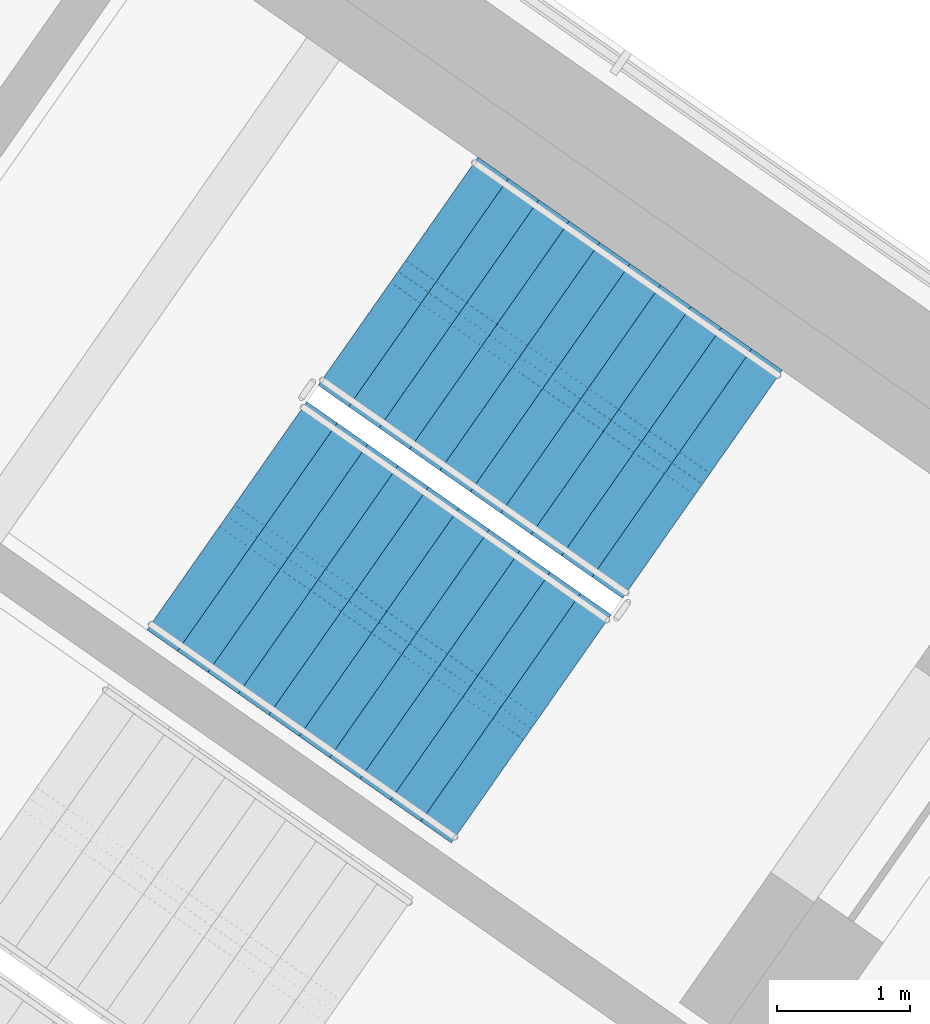
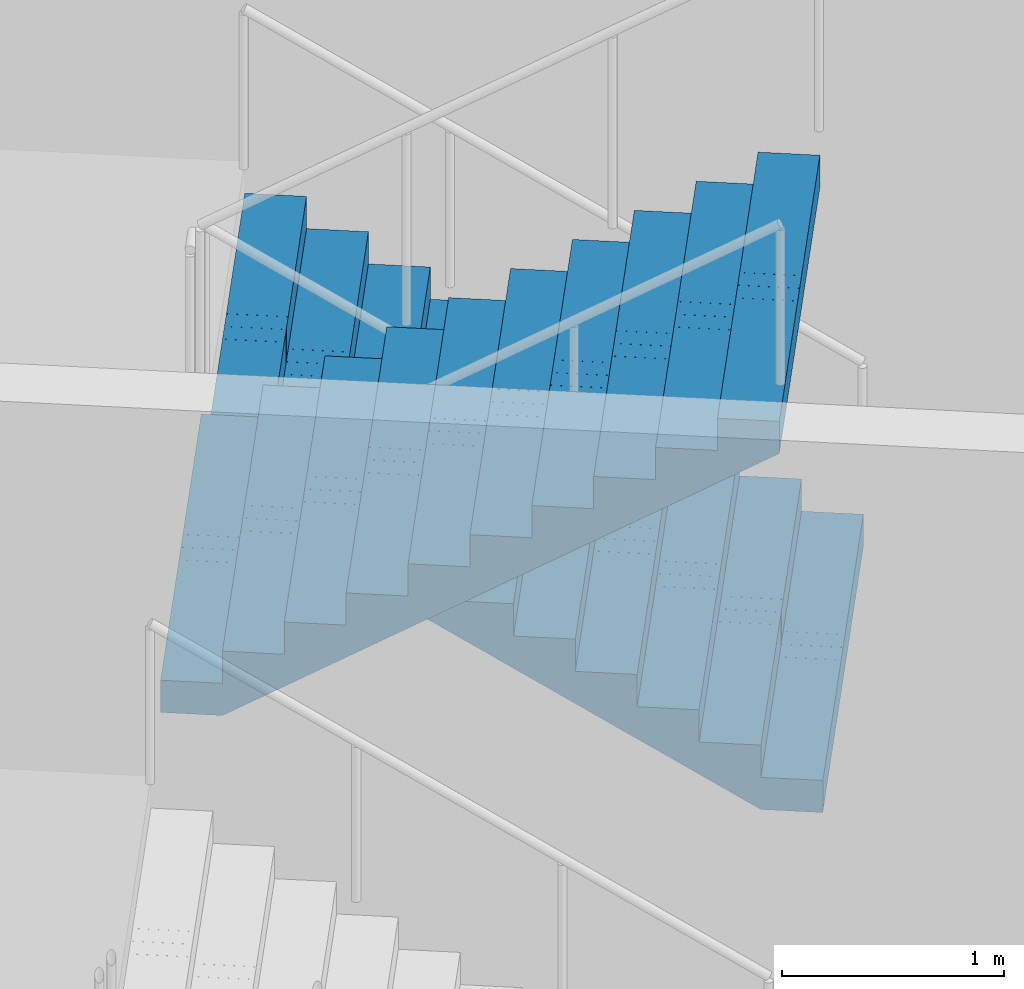
# One storey, part 13 of 18: 2 stair flights, 1 element without a shape of its own.
"""IFC4 building model written with IfcOpenShell, lengths in metres."""

import ifcopenshell
import ifcopenshell.guid

model = None  # the IFC model being written
_history = None  # IfcOwnerHistory: only IFC2X3 demands one
_inside = {}  # id of a spatial element -> (the spatial element, [elements in it])
_under = {}  # id of a project, library or spatial element -> (it, [spatial elements below it])
_declared = {}  # id of a project -> (the project, [libraries it declares])
_typed = {}  # id of a type object -> (the type object, [elements of that type])
_made_of = {}  # id of a material, layer set ... -> (it, [elements and type objects made of it])


def new_model(schema):
    """Start an empty IFC model of exactly this schema.

    Asked for "IFC4X3", IfcOpenShell would pick the latest addendum, in which some entities
    have other attributes; the version numbers below select the first issue.
    IFC2X3 requires an IfcOwnerHistory on every rooted entity: one is made here for all.
    """
    global model, _history
    if schema == "IFC4X3":
        model = ifcopenshell.file(schema_version=(4, 3, 0, 0))
    else:
        model = ifcopenshell.file(schema=schema)
    _inside.clear()
    _under.clear()
    _declared.clear()
    _typed.clear()
    _made_of.clear()
    _history = None
    if model.schema == "IFC2X3":
        org = make("IfcOrganization", Name="unknown")
        user = make(
            "IfcPersonAndOrganization",
            ThePerson=make("IfcPerson", FamilyName="unknown"),
            TheOrganization=org,
        )
        app = make(
            "IfcApplication",
            ApplicationDeveloper=org,
            Version="unknown",
            ApplicationFullName="unknown",
            ApplicationIdentifier="unknown",
        )
        _history = make(
            "IfcOwnerHistory",
            OwningUser=user,
            OwningApplication=app,
            ChangeAction="ADDED",
            CreationDate=0,
        )
    return model


def make(cls, **values):
    """One entity of the class cls with the attributes given. An attribute that is None is left unset."""
    return model.create_entity(
        cls, **{name: value for name, value in values.items() if value is not None}
    )


def rooted(cls, **values):
    """An entity with a GlobalId (a new one), such as an element, a storey or a relation."""
    return make(cls, GlobalId=ifcopenshell.guid.new(), OwnerHistory=_history, **values)


def si_unit(unit_type, name, prefix=None):
    """IfcSIUnit, for example si_unit("LENGTHUNIT", "METRE", prefix="MILLI")."""
    return make("IfcSIUnit", UnitType=unit_type, Prefix=prefix, Name=name)


def assignment(units):
    """IfcUnitAssignment: the units of a project."""
    return None if units is None else make("IfcUnitAssignment", Units=units)


def point(xyz):
    """IfcCartesianPoint."""
    return None if xyz is None else make("IfcCartesianPoint", Coordinates=xyz)


def direction(xyz):
    """IfcDirection."""
    return None if xyz is None else make("IfcDirection", DirectionRatios=xyz)


def frame(location, z_axis=None, x_axis=None):
    """IfcAxis2Placement3D, a coordinate frame: its origin and axes. An axis left out is left unset."""
    return make(
        "IfcAxis2Placement3D",
        Location=point(location),
        Axis=direction(z_axis),
        RefDirection=direction(x_axis),
    )


def origin():
    """The frame at (0, 0, 0) with its axes left unset."""
    return frame((0.0, 0.0, 0.0))


def place(relative_to, where):
    """IfcLocalPlacement: puts the frame where relative to a parent placement (None: the world)."""
    return make(
        "IfcLocalPlacement", PlacementRelTo=relative_to, RelativePlacement=where
    )


def context(
    kind, dimensions, precision=None, world=None, true_north=None, identifier=None
):
    """IfcGeometricRepresentationContext, for example the 3D "Model" context."""
    return make(
        "IfcGeometricRepresentationContext",
        ContextIdentifier=identifier,
        ContextType=kind,
        CoordinateSpaceDimension=dimensions,
        Precision=precision,
        WorldCoordinateSystem=world,
        TrueNorth=true_north,
    )


def subcontext(parent, identifier, kind, view, scale=None):
    """IfcGeometricRepresentationSubContext, for example "Body" below "Model"."""
    return make(
        "IfcGeometricRepresentationSubContext",
        ContextIdentifier=identifier,
        ContextType=kind,
        ParentContext=parent,
        TargetScale=scale,
        TargetView=view,
    )


def project(units=None, contexts=None):
    """IfcProject with its units and contexts."""
    return rooted(
        "IfcProject",
        Name="project",
        RepresentationContexts=contexts,
        UnitsInContext=assignment(units),
    )


def spatial(cls, under=None, at=None, **own):
    """A site, building, storey or space (cls), placed at a placement, below another one or the project."""
    s = rooted(cls, ObjectPlacement=at, **own)
    if under is not None:
        _under.setdefault(under.id(), (under, []))[1].append(s)
    return s


def polyline(points):
    """IfcPolyline through the points."""
    return make("IfcPolyline", Points=[point(p) for p in points])


def outline(outer, holes=None, kind="AREA"):
    """IfcArbitraryClosedProfileDef: a profile drawn as a closed curve; with holes, ...WithVoids."""
    if holes is None:
        return make("IfcArbitraryClosedProfileDef", ProfileType=kind, OuterCurve=outer)
    return make(
        "IfcArbitraryProfileDefWithVoids",
        ProfileType=kind,
        OuterCurve=outer,
        InnerCurves=holes,
    )


def extrude(swept, where, along, depth):
    """IfcExtrudedAreaSolid: the profile swept, set in the frame where, extruded along a direction by depth."""
    return make(
        "IfcExtrudedAreaSolid",
        SweptArea=swept,
        Position=where,
        ExtrudedDirection=direction(along),
        Depth=depth,
    )


def shape(context_of_items, identifier, shape_type, items):
    """IfcShapeRepresentation: the items that make up one representation, for example the "Body"."""
    return make(
        "IfcShapeRepresentation",
        ContextOfItems=context_of_items,
        RepresentationIdentifier=identifier,
        RepresentationType=shape_type,
        Items=items,
    )


def material(Name=None, Category=None):
    """IfcMaterial."""
    return make("IfcMaterial", Name=Name, Category=Category)


def made_of(thing, what):
    """Note that an element or type object is made of a material, layer set ...; save() writes the relation."""
    if what is not None:
        _made_of.setdefault(what.id(), (what, []))[1].append(thing)
    return thing


def type_object(cls, material=None, **own):
    """A type object (cls), such as IfcWallType, which elements share."""
    return made_of(rooted(cls, **own), material)


def element(
    cls,
    number,
    at=None,
    inside=None,
    cuts=None,
    type_object=None,
    material=None,
    context=None,
    identifier="Body",
    shape_type=None,
    held_by="IfcProductDefinitionShape",
    body=None,
    shapes=None,
    **own,
):
    """One element of the class cls, such as IfcWall. Its Tag is "e" and its number.

    at: its placement. inside: the storey or other place that contains it. cuts: it is an
    opening in that element (IfcRelVoidsElement). A single representation is given by context,
    identifier, shape_type and body (its items); several are given by shapes. held_by: the class
    of the entity that holds the representations. save() writes the other relations.
    """
    e = rooted(cls, Tag="e%d" % number, ObjectPlacement=at, **own)
    if body is not None:
        shapes = [shape(context, identifier, shape_type, body)]
    if shapes is not None:
        e.Representation = make(held_by, Representations=shapes)
    if inside is not None:
        _inside.setdefault(inside.id(), (inside, []))[1].append(e)
    if cuts is not None:
        rooted(
            "IfcRelVoidsElement", RelatingBuildingElement=cuts, RelatedOpeningElement=e
        )
    if type_object is not None:
        _typed.setdefault(type_object.id(), (type_object, []))[1].append(e)
    return made_of(e, material)


def aggregate(whole, parts):
    """IfcRelAggregates: a whole, such as a stair, and the parts it consists of."""
    return rooted("IfcRelAggregates", RelatingObject=whole, RelatedObjects=parts)


def save(model, path):
    """Write the relations noted so far, then the file.

    IfcRelAggregates (storeys below a building ...), IfcRelContainedInSpatialStructure (elements
    in a storey), IfcRelDefinesByType, IfcRelAssociatesMaterial and IfcRelDeclares: one each for
    every whole, place, type object, material and project.
    """
    for whole, parts in _under.values():
        aggregate(whole, parts)
    for where, things in _inside.values():
        rooted(
            "IfcRelContainedInSpatialStructure",
            RelatedElements=things,
            RelatingStructure=where,
        )
    for kind, things in _typed.values():
        rooted("IfcRelDefinesByType", RelatedObjects=things, RelatingType=kind)
    for what, things in _made_of.values():
        rooted("IfcRelAssociatesMaterial", RelatedObjects=things, RelatingMaterial=what)
    for by, libraries in _declared.values():
        rooted("IfcRelDeclares", RelatingContext=by, RelatedDefinitions=libraries)
    model.write(path)


model = new_model("IFC4")

# Units and contexts
model_context = context("Model", 3, precision=1e-05, world=origin(), true_north=direction((0.0, 1.0)))
body_context = subcontext(model_context, "Body", "Model", "MODEL_VIEW")
ifc_project = project(units=[si_unit("LENGTHUNIT", "METRE"), si_unit("AREAUNIT", "SQUARE_METRE"), si_unit("VOLUMEUNIT", "CUBIC_METRE"), si_unit("PLANEANGLEUNIT", "RADIAN"), si_unit("MASSUNIT", "GRAM", prefix="KILO")], contexts=[model_context])

# Site, building, storey
site_placement = place(None, origin())
site = spatial("IfcSite", under=ifc_project, at=site_placement, CompositionType="ELEMENT")
building_placement = place(site_placement, origin())
building = spatial("IfcBuilding", under=site, at=building_placement, Name="Tel Ilan Convention Tower", CompositionType="ELEMENT")
storey_placement = place(building_placement, frame((0.0, 0.0, 260.5)))
storey = spatial("IfcBuildingStorey", under=building, at=storey_placement, Name="L61", CompositionType="ELEMENT", Elevation=260.5)

# Stair, stair flights
ifc_material_1 = material(Name="Concrete C40/50", Category="concrete")
stair_type = type_object("IfcStairType", Name="Pressurised Exit Stair 22 risers 177 mm", PredefinedType="HALF_TURN_STAIR", material=ifc_material_1)
stair_placement = place(storey_placement, origin())
stair = element("IfcStair", 1, at=stair_placement, inside=storey, type_object=stair_type, Name="L61 Pressurised Stair S3", PredefinedType="HALF_TURN_STAIR")
ifc_material_2 = material(Name="Precast Concrete C40/50", Category="concrete")
stair_flight_type = type_object("IfcStairFlightType", Name="Concrete Stair Flight 2100 mm 22 risers 177 mm", PredefinedType="STRAIGHT", material=ifc_material_2)
stair_flight_1_placement = place(storey_placement, frame((24.25244140625, -7.032470703125, 0.0), z_axis=(0.0, 0.0, 1.0), x_axis=(-0.819152044289, 0.573576436351, 0.0)))
stair_flight_1 = element("IfcStairFlight", 2, at=stair_flight_1_placement, type_object=stair_flight_type, Name="S3 flight 1", NumberOfRisers=11, NumberOfTreads=10, PredefinedType="STRAIGHT", RiserHeight=0.177272727, TreadLength=0.28, context=body_context, shape_type="SweptSolid", body=[
    extrude(outline(polyline([(0.0, 0.0), (0.0, 0.17724609375), (0.280029296875, 0.17724609375), (0.280029296875, 0.3544921875), (0.56005859375, 0.3544921875), (0.56005859375, 0.53173828125), (0.840087890625, 0.53173828125), (0.840087890625, 0.708984375), (1.1201171875, 0.708984375), (1.1201171875, 0.886474609375), (1.39990234375, 0.886474609375), (1.39990234375, 1.063720703125), (1.679931640625, 1.063720703125), (1.679931640625, 1.240966796875), (1.9599609375, 1.240966796875), (1.9599609375, 1.418212890625), (2.239990234375, 1.418212890625), (2.239990234375, 1.595458984375), (2.52001953125, 1.595458984375), (2.52001953125, 1.772705078125), (2.800048828125, 1.772705078125), (2.800048828125, 1.949951171875), (2.800048828125, 1.59521484375), (0.2802734375, 0.0), (0.0, 0.0)])), frame((0.0, -0.100341796875, 0.0), z_axis=(0.0, -1.0, 0.0), x_axis=(1.0, 0.0, 0.0)), (0.0, 0.0, 1.0), 0.94970703125),
    extrude(outline(polyline([(0.0, 0.0), (0.0, 0.17724609375), (0.280029296875, 0.17724609375), (0.280029296875, 0.3544921875), (0.56005859375, 0.3544921875), (0.56005859375, 0.53173828125), (0.840087890625, 0.53173828125), (0.840087890625, 0.708984375), (1.1201171875, 0.708984375), (1.1201171875, 0.886474609375), (1.39990234375, 0.886474609375), (1.39990234375, 1.063720703125), (1.679931640625, 1.063720703125), (1.679931640625, 1.240966796875), (1.9599609375, 1.240966796875), (1.9599609375, 1.418212890625), (2.239990234375, 1.418212890625), (2.239990234375, 1.595458984375), (2.52001953125, 1.595458984375), (2.52001953125, 1.772705078125), (2.800048828125, 1.772705078125), (2.800048828125, 1.949951171875), (2.800048828125, 1.59521484375), (0.2802734375, 0.0), (0.0, 0.0)])), frame((0.0, -0.000244140625, 0.0), z_axis=(0.0, -1.0, 0.0), x_axis=(1.0, 0.0, 0.0)), (0.0, 0.0, 1.0), 0.099609375),
    extrude(outline(polyline([(0.0, 0.0), (0.0, 0.17724609375), (0.280029296875, 0.17724609375), (0.280029296875, 0.3544921875), (0.56005859375, 0.3544921875), (0.56005859375, 0.53173828125), (0.840087890625, 0.53173828125), (0.840087890625, 0.708984375), (1.1201171875, 0.708984375), (1.1201171875, 0.886474609375), (1.39990234375, 0.886474609375), (1.39990234375, 1.063720703125), (1.679931640625, 1.063720703125), (1.679931640625, 1.240966796875), (1.9599609375, 1.240966796875), (1.9599609375, 1.418212890625), (2.239990234375, 1.418212890625), (2.239990234375, 1.595458984375), (2.52001953125, 1.595458984375), (2.52001953125, 1.772705078125), (2.800048828125, 1.772705078125), (2.800048828125, 1.949951171875), (2.800048828125, 1.59521484375), (0.2802734375, 0.0), (0.0, 0.0)])), frame((0.0, 0.099853515625, 0.0), z_axis=(0.0, -1.0, 0.0), x_axis=(1.0, 0.0, 0.0)), (0.0, 0.0, 1.0), 0.099609375),
    extrude(outline(polyline([(0.0, 0.0), (0.0, 0.17724609375), (0.280029296875, 0.17724609375), (0.280029296875, 0.3544921875), (0.56005859375, 0.3544921875), (0.56005859375, 0.53173828125), (0.840087890625, 0.53173828125), (0.840087890625, 0.708984375), (1.1201171875, 0.708984375), (1.1201171875, 0.886474609375), (1.39990234375, 0.886474609375), (1.39990234375, 1.063720703125), (1.679931640625, 1.063720703125), (1.679931640625, 1.240966796875), (1.9599609375, 1.240966796875), (1.9599609375, 1.418212890625), (2.239990234375, 1.418212890625), (2.239990234375, 1.595458984375), (2.52001953125, 1.595458984375), (2.52001953125, 1.772705078125), (2.800048828125, 1.772705078125), (2.800048828125, 1.949951171875), (2.800048828125, 1.59521484375), (0.2802734375, 0.0), (0.0, 0.0)])), frame((0.0, 1.050048828125, 0.0), z_axis=(0.0, -1.0, 0.0), x_axis=(1.0, 0.0, 0.0)), (0.0, 0.0, 1.0), 0.94970703125),
])
stair_flight_2_placement = place(storey_placement, frame((20.668212890625, -7.26953125, 1.949951171875), z_axis=(0.0, 0.0, 1.0), x_axis=(0.819152044289, -0.573576436351, 0.0)))
stair_flight_2 = element("IfcStairFlight", 3, at=stair_flight_2_placement, type_object=stair_flight_type, Name="S3 flight 2", NumberOfRisers=11, NumberOfTreads=10, PredefinedType="STRAIGHT", RiserHeight=0.177272727, TreadLength=0.28, context=body_context, shape_type="SweptSolid", body=[
    extrude(outline(polyline([(0.0, 0.0), (0.0, 0.17724609375), (0.280029296875, 0.17724609375), (0.280029296875, 0.3544921875), (0.56005859375, 0.3544921875), (0.56005859375, 0.53173828125), (0.840087890625, 0.53173828125), (0.840087890625, 0.708984375), (1.1201171875, 0.708984375), (1.1201171875, 0.886474609375), (1.39990234375, 0.886474609375), (1.39990234375, 1.063720703125), (1.679931640625, 1.063720703125), (1.679931640625, 1.240966796875), (1.9599609375, 1.240966796875), (1.9599609375, 1.418212890625), (2.239990234375, 1.418212890625), (2.239990234375, 1.595458984375), (2.52001953125, 1.595458984375), (2.52001953125, 1.772705078125), (2.800048828125, 1.772705078125), (2.800048828125, 1.949951171875), (2.800048828125, 1.59521484375), (0.2802734375, 0.0), (0.0, 0.0)])), frame((0.0, -0.100341796875, 0.0), z_axis=(0.0, -1.0, 0.0), x_axis=(1.0, 0.0, 0.0)), (0.0, 0.0, 1.0), 0.94970703125),
    extrude(outline(polyline([(0.0, 0.0), (0.0, 0.17724609375), (0.280029296875, 0.17724609375), (0.280029296875, 0.3544921875), (0.56005859375, 0.3544921875), (0.56005859375, 0.53173828125), (0.840087890625, 0.53173828125), (0.840087890625, 0.708984375), (1.1201171875, 0.708984375), (1.1201171875, 0.886474609375), (1.39990234375, 0.886474609375), (1.39990234375, 1.063720703125), (1.679931640625, 1.063720703125), (1.679931640625, 1.240966796875), (1.9599609375, 1.240966796875), (1.9599609375, 1.418212890625), (2.239990234375, 1.418212890625), (2.239990234375, 1.595458984375), (2.52001953125, 1.595458984375), (2.52001953125, 1.772705078125), (2.800048828125, 1.772705078125), (2.800048828125, 1.949951171875), (2.800048828125, 1.59521484375), (0.2802734375, 0.0), (0.0, 0.0)])), frame((0.0, -0.000244140625, 0.0), z_axis=(0.0, -1.0, 0.0), x_axis=(1.0, 0.0, 0.0)), (0.0, 0.0, 1.0), 0.099609375),
    extrude(outline(polyline([(0.0, 0.0), (0.0, 0.17724609375), (0.280029296875, 0.17724609375), (0.280029296875, 0.3544921875), (0.56005859375, 0.3544921875), (0.56005859375, 0.53173828125), (0.840087890625, 0.53173828125), (0.840087890625, 0.708984375), (1.1201171875, 0.708984375), (1.1201171875, 0.886474609375), (1.39990234375, 0.886474609375), (1.39990234375, 1.063720703125), (1.679931640625, 1.063720703125), (1.679931640625, 1.240966796875), (1.9599609375, 1.240966796875), (1.9599609375, 1.418212890625), (2.239990234375, 1.418212890625), (2.239990234375, 1.595458984375), (2.52001953125, 1.595458984375), (2.52001953125, 1.772705078125), (2.800048828125, 1.772705078125), (2.800048828125, 1.949951171875), (2.800048828125, 1.59521484375), (0.2802734375, 0.0), (0.0, 0.0)])), frame((0.0, 0.099853515625, 0.0), z_axis=(0.0, -1.0, 0.0), x_axis=(1.0, 0.0, 0.0)), (0.0, 0.0, 1.0), 0.099609375),
    extrude(outline(polyline([(0.0, 0.0), (0.0, 0.17724609375), (0.280029296875, 0.17724609375), (0.280029296875, 0.3544921875), (0.56005859375, 0.3544921875), (0.56005859375, 0.53173828125), (0.840087890625, 0.53173828125), (0.840087890625, 0.708984375), (1.1201171875, 0.708984375), (1.1201171875, 0.886474609375), (1.39990234375, 0.886474609375), (1.39990234375, 1.063720703125), (1.679931640625, 1.063720703125), (1.679931640625, 1.240966796875), (1.9599609375, 1.240966796875), (1.9599609375, 1.418212890625), (2.239990234375, 1.418212890625), (2.239990234375, 1.595458984375), (2.52001953125, 1.595458984375), (2.52001953125, 1.772705078125), (2.800048828125, 1.772705078125), (2.800048828125, 1.949951171875), (2.800048828125, 1.59521484375), (0.2802734375, 0.0), (0.0, 0.0)])), frame((0.0, 1.050048828125, 0.0), z_axis=(0.0, -1.0, 0.0), x_axis=(1.0, 0.0, 0.0)), (0.0, 0.0, 1.0), 0.94970703125),
])
aggregate(stair, [stair_flight_1, stair_flight_2])

save(model, "model.ifc")
